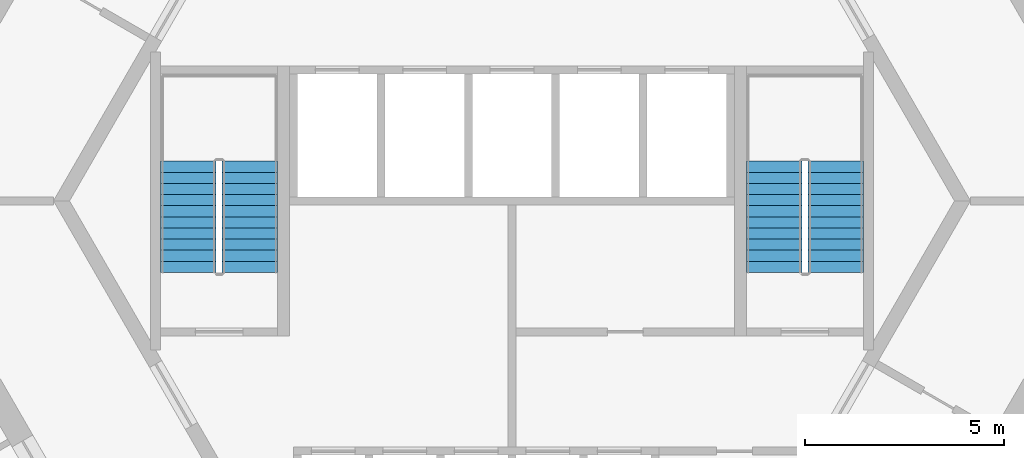
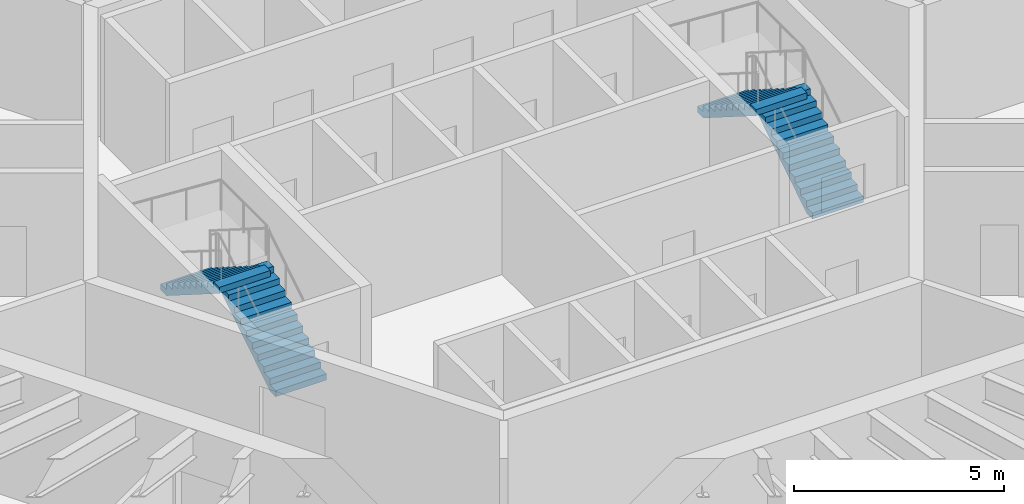
# One storey, part 11 of 13: 4 stair flights, 2 elements without a shape of their own.
"""IFC4 building model written with IfcOpenShell, lengths in metres."""

from ifc_helpers import new_model, si_unit, direction, frame, origin, place, context, subcontext, project, spatial, polyline, outline, extrude, material, type_object, element, aggregate, save


model = new_model("IFC4")

# Units and contexts
model_context = context("Model", 3, precision=1e-05, world=origin(), true_north=direction((0.0, 1.0)))
body_context = subcontext(model_context, "Body", "Model", "MODEL_VIEW")
ifc_project = project(units=[si_unit("LENGTHUNIT", "METRE"), si_unit("AREAUNIT", "SQUARE_METRE"), si_unit("VOLUMEUNIT", "CUBIC_METRE"), si_unit("PLANEANGLEUNIT", "RADIAN"), si_unit("MASSUNIT", "GRAM", prefix="KILO")], contexts=[model_context])

# Site, building, storey
site_placement = place(None, origin())
site = spatial("IfcSite", under=ifc_project, at=site_placement, CompositionType="ELEMENT")
building_placement = place(site_placement, origin())
building = spatial("IfcBuilding", under=site, at=building_placement, Name="Tarnside Tower", CompositionType="ELEMENT")
storey_placement = place(building_placement, frame((0.0, 0.0, 135.0)))
storey = spatial("IfcBuildingStorey", under=building, at=storey_placement, Name="L31", CompositionType="ELEMENT", Elevation=135.0)

# Stair, stair flights
ifc_material = material(Name="Concrete C40/50", Category="concrete")
stair_type = type_object("IfcStairType", Name="Exit stair 1400 clear", PredefinedType="HALF_TURN_STAIR", material=ifc_material)
stair_1_placement = place(storey_placement, origin())
stair_1 = element("IfcStair", 1, at=stair_1_placement, inside=storey, type_object=stair_type, Name="L31 Exit stair 1", PredefinedType="HALF_TURN_STAIR")
stair_flight_type = type_object("IfcStairFlightType", Name="Exit stair flight 1400", PredefinedType="STRAIGHT", material=ifc_material)
stair_flight_1_placement = place(storey_placement, frame((8.14990234375, -1.800048828125, 0.0), z_axis=(0.0, 0.0, 1.0), x_axis=(0.0, 1.0, 0.0)))
stair_flight_1 = element("IfcStairFlight", 2, at=stair_flight_1_placement, type_object=stair_flight_type, Name="ST1 flight 1", NumberOfRisers=11, NumberOfTreads=10, PredefinedType="STRAIGHT", RiserHeight=0.177272727, TreadLength=0.28, context=body_context, shape_type="SweptSolid", body=[
    extrude(outline(polyline([(0.0, 0.0), (0.0, 0.17724609375), (0.280029296875, 0.17724609375), (0.280029296875, 0.3544921875), (0.56005859375, 0.3544921875), (0.56005859375, 0.53173828125), (0.840087890625, 0.53173828125), (0.840087890625, 0.708984375), (1.1201171875, 0.708984375), (1.1201171875, 0.886474609375), (1.39990234375, 0.886474609375), (1.39990234375, 1.063720703125), (1.679931640625, 1.063720703125), (1.679931640625, 1.240966796875), (1.9599609375, 1.240966796875), (1.9599609375, 1.418212890625), (2.239990234375, 1.418212890625), (2.239990234375, 1.595458984375), (2.52001953125, 1.595458984375), (2.52001953125, 1.772705078125), (2.800048828125, 1.772705078125), (2.800048828125, 1.949951171875), (2.800048828125, 1.59521484375), (0.2802734375, 0.0), (0.0, 0.0)])), frame((0.0, 0.699951171875, 0.0), z_axis=(0.0, -1.0, 0.0), x_axis=(1.0, 0.0, 0.0)), (0.0, 0.0, 1.0), 1.39990234375),
])
stair_flight_2_placement = place(storey_placement, frame((6.60009765625, 1.0, 1.949951171875), z_axis=(0.0, 0.0, 1.0), x_axis=(0.0, -1.0, 0.0)))
stair_flight_2 = element("IfcStairFlight", 3, at=stair_flight_2_placement, type_object=stair_flight_type, Name="ST1 flight 2", NumberOfRisers=11, NumberOfTreads=10, PredefinedType="STRAIGHT", RiserHeight=0.177272727, TreadLength=0.28, context=body_context, shape_type="SweptSolid", body=[
    extrude(outline(polyline([(0.0, 0.0), (0.0, 0.17724609375), (0.280029296875, 0.17724609375), (0.280029296875, 0.3544921875), (0.56005859375, 0.3544921875), (0.56005859375, 0.53173828125), (0.840087890625, 0.53173828125), (0.840087890625, 0.708984375), (1.1201171875, 0.708984375), (1.1201171875, 0.886474609375), (1.39990234375, 0.886474609375), (1.39990234375, 1.063720703125), (1.679931640625, 1.063720703125), (1.679931640625, 1.240966796875), (1.9599609375, 1.240966796875), (1.9599609375, 1.418212890625), (2.239990234375, 1.418212890625), (2.239990234375, 1.595458984375), (2.52001953125, 1.595458984375), (2.52001953125, 1.772705078125), (2.800048828125, 1.772705078125), (2.800048828125, 1.949951171875), (2.800048828125, 1.59521484375), (0.2802734375, 0.0), (0.0, 0.0)])), frame((0.0, 0.699951171875, 0.0), z_axis=(0.0, -1.0, 0.0), x_axis=(1.0, 0.0, 0.0)), (0.0, 0.0, 1.0), 1.39990234375),
])
aggregate(stair_1, [stair_flight_1, stair_flight_2])

stair_2_placement = place(storey_placement, origin())
stair_2 = element("IfcStair", 4, at=stair_2_placement, inside=storey, type_object=stair_type, Name="L31 Exit stair 2", PredefinedType="HALF_TURN_STAIR")
stair_flight_3_placement = place(storey_placement, frame((-6.60009765625, -1.800048828125, 0.0), z_axis=(0.0, 0.0, 1.0), x_axis=(0.0, 1.0, 0.0)))
stair_flight_3 = element("IfcStairFlight", 5, at=stair_flight_3_placement, type_object=stair_flight_type, Name="ST2 flight 1", NumberOfRisers=11, NumberOfTreads=10, PredefinedType="STRAIGHT", RiserHeight=0.177272727, TreadLength=0.28, context=body_context, shape_type="SweptSolid", body=[
    extrude(outline(polyline([(0.0, 0.0), (0.0, 0.17724609375), (0.280029296875, 0.17724609375), (0.280029296875, 0.3544921875), (0.56005859375, 0.3544921875), (0.56005859375, 0.53173828125), (0.840087890625, 0.53173828125), (0.840087890625, 0.708984375), (1.1201171875, 0.708984375), (1.1201171875, 0.886474609375), (1.39990234375, 0.886474609375), (1.39990234375, 1.063720703125), (1.679931640625, 1.063720703125), (1.679931640625, 1.240966796875), (1.9599609375, 1.240966796875), (1.9599609375, 1.418212890625), (2.239990234375, 1.418212890625), (2.239990234375, 1.595458984375), (2.52001953125, 1.595458984375), (2.52001953125, 1.772705078125), (2.800048828125, 1.772705078125), (2.800048828125, 1.949951171875), (2.800048828125, 1.59521484375), (0.2802734375, 0.0), (0.0, 0.0)])), frame((0.0, 0.699951171875, 0.0), z_axis=(0.0, -1.0, 0.0), x_axis=(1.0, 0.0, 0.0)), (0.0, 0.0, 1.0), 1.39990234375),
])
stair_flight_4_placement = place(storey_placement, frame((-8.14990234375, 1.0, 1.949951171875), z_axis=(0.0, 0.0, 1.0), x_axis=(0.0, -1.0, 0.0)))
stair_flight_4 = element("IfcStairFlight", 6, at=stair_flight_4_placement, type_object=stair_flight_type, Name="ST2 flight 2", NumberOfRisers=11, NumberOfTreads=10, PredefinedType="STRAIGHT", RiserHeight=0.177272727, TreadLength=0.28, context=body_context, shape_type="SweptSolid", body=[
    extrude(outline(polyline([(0.0, 0.0), (0.0, 0.17724609375), (0.280029296875, 0.17724609375), (0.280029296875, 0.3544921875), (0.56005859375, 0.3544921875), (0.56005859375, 0.53173828125), (0.840087890625, 0.53173828125), (0.840087890625, 0.708984375), (1.1201171875, 0.708984375), (1.1201171875, 0.886474609375), (1.39990234375, 0.886474609375), (1.39990234375, 1.063720703125), (1.679931640625, 1.063720703125), (1.679931640625, 1.240966796875), (1.9599609375, 1.240966796875), (1.9599609375, 1.418212890625), (2.239990234375, 1.418212890625), (2.239990234375, 1.595458984375), (2.52001953125, 1.595458984375), (2.52001953125, 1.772705078125), (2.800048828125, 1.772705078125), (2.800048828125, 1.949951171875), (2.800048828125, 1.59521484375), (0.2802734375, 0.0), (0.0, 0.0)])), frame((0.0, 0.699951171875, 0.0), z_axis=(0.0, -1.0, 0.0), x_axis=(1.0, 0.0, 0.0)), (0.0, 0.0, 1.0), 1.39990234375),
])
aggregate(stair_2, [stair_flight_3, stair_flight_4])

save(model, "model.ifc")
